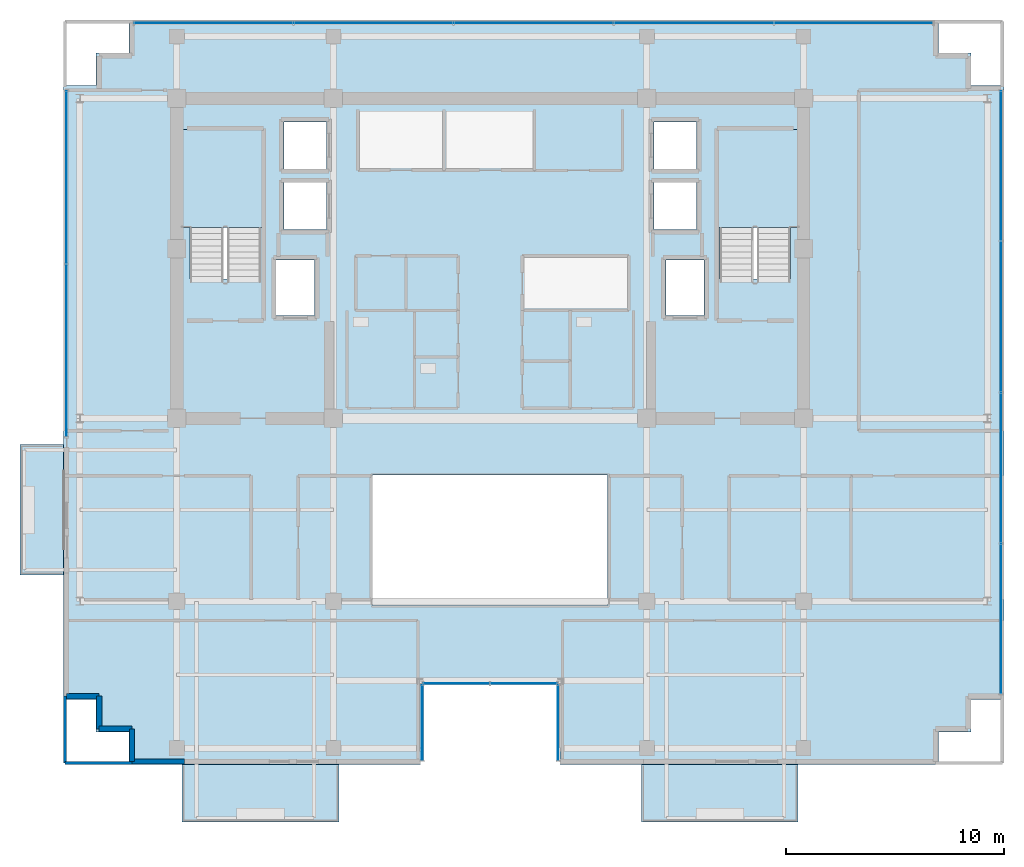
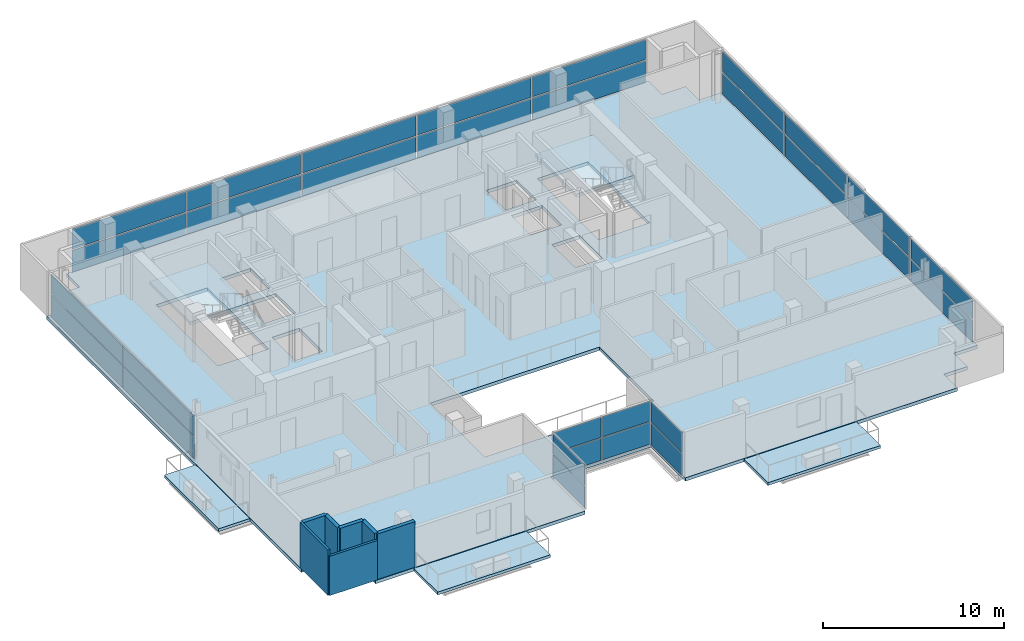
# One storey, part 14 of 21: 30 plates, 7 walls, 6 slabs, 8 elements without a shape of their own.
"""IFC4 building model written with IfcOpenShell, lengths in metres."""

from ifc_helpers import new_model, si_unit, direction, frame, frame_2d, origin, origin_2d, place, context, subcontext, project, spatial, polyline, rectangle, outline, extrude, source, transform, mapped, material, layer, layer_set, type_object, element, aggregate, save


model = new_model("IFC4")

# Units and contexts
model_context = context("Model", 3, precision=1e-05, world=origin(), true_north=direction((0.0, 1.0)))
body_context = subcontext(model_context, "Body", "Model", "MODEL_VIEW")
ifc_project = project(units=[si_unit("LENGTHUNIT", "METRE"), si_unit("AREAUNIT", "SQUARE_METRE"), si_unit("VOLUMEUNIT", "CUBIC_METRE"), si_unit("PLANEANGLEUNIT", "RADIAN"), si_unit("MASSUNIT", "GRAM", prefix="KILO")], contexts=[model_context])

# Site, building, storey
site_placement = place(None, origin())
site = spatial("IfcSite", under=ifc_project, at=site_placement, CompositionType="ELEMENT")
building_placement = place(site_placement, origin())
building = spatial("IfcBuilding", under=site, at=building_placement, Name="Zarnakvel Exchange Tower", CompositionType="ELEMENT")
storey_placement = place(building_placement, frame((0.0, 0.0, 248.5)))
storey = spatial("IfcBuildingStorey", under=building, at=storey_placement, Name="L70", CompositionType="ELEMENT", Elevation=248.5)

# Stair, slab
ifc_material_1 = material(Name="Concrete C40/50", Category="concrete")
stair_type = type_object("IfcStairType", Name="STR-01", PredefinedType="HALF_TURN_STAIR", material=ifc_material_1)
stair_1_placement = place(storey_placement, origin())
stair_1 = element("IfcStair", 1, at=stair_1_placement, inside=storey, type_object=stair_type, Name="L70 Protected Core Exit Stair ST-01", PredefinedType="HALF_TURN_STAIR")
ifc_layer_1 = layer(ifc_material_1, 0.199951171875)
ifc_layer_set_1 = layer_set([ifc_layer_1], Name="Concrete C40/50")
slab_type_1 = type_object("IfcSlabType", Name="LDG-01", PredefinedType="LANDING", material=ifc_layer_set_1)
slab_1_placement = place(storey_placement, frame((0.0, 0.0, 1.449951171875)))
slab_1 = element("IfcSlab", 2, at=slab_1_placement, type_object=slab_type_1, Name="ST-01 landing 1", PredefinedType="LANDING", context=body_context, shape_type="SweptSolid", body=[
    extrude(outline(polyline([(-14.18994140625, 7.570068359375), (-10.4599609375, 7.570068359375), (-10.4599609375, 12.080078125), (-14.18994140625, 12.080078125), (-14.18994140625, 7.570068359375)])), origin(), (0.0, 0.0, 1.0), 0.199951171875),
])
aggregate(stair_1, [slab_1])

stair_2_placement = place(storey_placement, origin())
stair_2 = element("IfcStair", 3, at=stair_2_placement, inside=storey, type_object=stair_type, Name="L70 Protected Core Exit Stair ST-02", PredefinedType="HALF_TURN_STAIR")
slab_2_placement = place(storey_placement, frame((0.0, 0.0, 1.449951171875)))
slab_2 = element("IfcSlab", 4, at=slab_2_placement, type_object=slab_type_1, Name="ST-02 landing 1", PredefinedType="LANDING", context=body_context, shape_type="SweptSolid", body=[
    extrude(outline(polyline([(10.4599609375, 7.570068359375), (14.18994140625, 7.570068359375), (14.18994140625, 12.080078125), (10.4599609375, 12.080078125), (10.4599609375, 7.570068359375)])), origin(), (0.0, 0.0, 1.0), 0.199951171875),
])
aggregate(stair_2, [slab_2])

# Slabs
ifc_layer_2 = layer(ifc_material_1, 0.22509765625)
ifc_layer_set_2 = layer_set([ifc_layer_2], Name="Concrete C40/50")
slab_type_2 = type_object("IfcSlabType", Name="SL-04", PredefinedType="FLOOR", material=ifc_layer_set_2)
slab_3_placement = place(storey_placement, frame((0.0, 0.0, -0.22509765625)))
element("IfcSlab", 5, at=slab_3_placement, inside=storey, type_object=slab_type_2, Name="L70 Primary Structural Floor Slab", PredefinedType="FLOOR", context=body_context, shape_type="SweptSolid", body=[
    extrude(outline(polyline([(-19.60009765625, -14.10009765625), (-18.10009765625, -14.10009765625), (-18.10009765625, -15.60009765625), (-16.60009765625, -15.60009765625), (-16.60009765625, -17.10009765625), (-3.199951171875, -17.10009765625), (-3.199951171875, -13.300048828125), (3.199951171875, -13.300048828125), (3.199951171875, -17.10009765625), (20.60009765625, -17.10009765625), (20.60009765625, -15.60009765625), (22.10009765625, -15.60009765625), (22.10009765625, -14.10009765625), (23.60009765625, -14.10009765625), (23.60009765625, 14.10009765625), (22.10009765625, 14.10009765625), (22.10009765625, 15.60009765625), (20.60009765625, 15.60009765625), (20.60009765625, 17.10009765625), (-16.60009765625, 17.10009765625), (-16.60009765625, 15.60009765625), (-18.10009765625, 15.60009765625), (-18.10009765625, 14.10009765625), (-19.60009765625, 14.10009765625), (-19.60009765625, -14.10009765625)]), holes=[polyline([(-5.39990234375, -9.800048828125), (5.39990234375, -9.800048828125), (5.39990234375, -3.800048828125), (-5.39990234375, -3.800048828125), (-5.39990234375, -9.800048828125)]), polyline([(-13.800048828125, 5.2099609375), (-10.5400390625, 5.2099609375), (-10.5400390625, 12.0), (-13.800048828125, 12.0), (-13.800048828125, 5.2099609375)]), polyline([(10.5400390625, 5.2099609375), (13.800048828125, 5.2099609375), (13.800048828125, 12.0), (10.5400390625, 12.0), (10.5400390625, 5.2099609375)]), polyline([(-9.830078125, 3.52001953125), (-8.070068359375, 3.52001953125), (-8.070068359375, 6.080078125), (-9.830078125, 6.080078125), (-9.830078125, 3.52001953125)]), polyline([(8.070068359375, 3.52001953125), (9.830078125, 3.52001953125), (9.830078125, 6.080078125), (8.070068359375, 6.080078125), (8.070068359375, 3.52001953125)]), polyline([(-9.47998046875, 7.469970703125), (-7.52001953125, 7.469970703125), (-7.52001953125, 9.6298828125), (-9.47998046875, 9.6298828125), (-9.47998046875, 7.469970703125)]), polyline([(-9.47998046875, 10.27001953125), (-7.52001953125, 10.27001953125), (-7.52001953125, 12.429931640625), (-9.47998046875, 12.429931640625), (-9.47998046875, 10.27001953125)]), polyline([(7.52001953125, 7.469970703125), (9.47998046875, 7.469970703125), (9.47998046875, 9.6298828125), (7.52001953125, 9.6298828125), (7.52001953125, 7.469970703125)]), polyline([(7.52001953125, 10.27001953125), (9.47998046875, 10.27001953125), (9.47998046875, 12.429931640625), (7.52001953125, 12.429931640625), (7.52001953125, 10.27001953125)])]), origin(), (0.0, 0.0, 1.0), 0.22509765625),
])
ifc_layer_3 = layer(ifc_material_1, 0.18994140625)
ifc_layer_set_3 = layer_set([ifc_layer_3], Name="Concrete C40/50")
slab_type_3 = type_object("IfcSlabType", Name="SL-08", PredefinedType="USERDEFINED", material=ifc_layer_set_3)
slab_4_placement = place(storey_placement, frame((0.0, 0.0, -0.22509765625)))
element("IfcSlab", 6, at=slab_4_placement, inside=storey, type_object=slab_type_3, Name="L70 Planted Loggia Balcony Slab BAL-L70-SW", ObjectType="BALCONY", PredefinedType="USERDEFINED", context=body_context, shape_type="SweptSolid", body=[
    extrude(outline(polyline([(-14.14990234375, -19.75), (-6.949951171875, -19.75), (-6.949951171875, -17.10009765625), (-14.14990234375, -17.10009765625), (-14.14990234375, -19.75)])), origin(), (0.0, 0.0, 1.0), 0.190185546875),
])
slab_5_placement = place(storey_placement, frame((0.0, 0.0, -0.22509765625)))
element("IfcSlab", 7, at=slab_5_placement, inside=storey, type_object=slab_type_3, Name="L70 Planted Loggia Balcony Slab BAL-L70-SE", ObjectType="BALCONY", PredefinedType="USERDEFINED", context=body_context, shape_type="SweptSolid", body=[
    extrude(outline(polyline([(6.949951171875, -19.75), (14.14990234375, -19.75), (14.14990234375, -17.10009765625), (6.949951171875, -17.10009765625), (6.949951171875, -19.75)])), origin(), (0.0, 0.0, 1.0), 0.190185546875),
])
slab_6_placement = place(storey_placement, frame((0.0, 0.0, -0.22509765625)))
element("IfcSlab", 8, at=slab_6_placement, inside=storey, type_object=slab_type_3, Name="L70 Planted Loggia Balcony Slab BAL-L70-W", ObjectType="BALCONY", PredefinedType="USERDEFINED", context=body_context, shape_type="SweptSolid", body=[
    extrude(outline(polyline([(-21.60009765625, -8.39990234375), (-19.60009765625, -8.39990234375), (-19.60009765625, -2.39990234375), (-21.60009765625, -2.39990234375), (-21.60009765625, -8.39990234375)])), origin(), (0.0, 0.0, 1.0), 0.190185546875),
])

# Curtain wall, plate
ifc_material_2 = material(Name="Architectural Bronze Anodised Aluminium", Category="aluminium")
ifc_layer_4 = layer(ifc_material_2, 0.179931640625)
ifc_layer_set_4 = layer_set([ifc_layer_4], Name="Architectural Bronze Anodised Aluminium")
curtain_wall_type_1 = type_object("IfcCurtainWallType", Name="CW-05", PredefinedType="NOTDEFINED", material=ifc_layer_set_4)
curtain_wall_1_placement = place(storey_placement, origin())
curtain_wall_1 = element("IfcCurtainWall", 9, at=curtain_wall_1_placement, inside=storey, type_object=curtain_wall_type_1, Name="L70 Curtain Wall CW-L70-SLW (CW-05)", PredefinedType="NOTDEFINED")
ifc_material_3 = material(Name="Double Low-E Laminated Vision Glass", Category="glass")
ifc_layer_5 = layer(ifc_material_3, 0.02587890625)
ifc_layer_set_5 = layer_set([ifc_layer_5], Name="Double Low-E Laminated Vision Glass")
plate_type_1 = type_object("IfcPlateType", Name="CWP-05", PredefinedType="CURTAIN_PANEL", material=ifc_layer_set_5)
shared_shape_1 = source(origin(), body_context, "Body", "SweptSolid", [
    extrude(rectangle(XDim=3.4599609375, YDim=0.02587890625, at=origin_2d()), origin(), (0.0, 0.0, 1.0), 1.483642578125),
])
plate_1_placement = place(storey_placement, frame((-3.1201171875, -15.179931640625, 0.06982421875), z_axis=(0.0, 0.0, 1.0), x_axis=(0.0, 1.0, 0.0)))
plate_1 = element("IfcPlate", 10, at=plate_1_placement, type_object=plate_type_1, Name="CW-05 panel 1.1", PredefinedType="CURTAIN_PANEL", context=body_context, shape_type="MappedRepresentation", body=[
    mapped(shared_shape_1, transform((0.0, 0.0, 0.0), x_axis=(1.0, 0.0, 0.0), y_axis=(0.0, 1.0, 0.0), z_axis=(0.0, 0.0, 1.0), scale=1.0)),
])

curtain_wall_2_placement = place(storey_placement, origin())
curtain_wall_2 = element("IfcCurtainWall", 11, at=curtain_wall_2_placement, inside=storey, type_object=curtain_wall_type_1, Name="L70 Curtain Wall CW-L70-SLE (CW-05)", PredefinedType="NOTDEFINED")
plate_2_placement = place(storey_placement, frame((3.1201171875, -15.179931640625, 0.06982421875), z_axis=(0.0, 0.0, 1.0), x_axis=(0.0, -1.0, 0.0)))
plate_2 = element("IfcPlate", 12, at=plate_2_placement, type_object=plate_type_1, Name="CW-05 panel 1.1", PredefinedType="CURTAIN_PANEL", context=body_context, shape_type="MappedRepresentation", body=[
    mapped(shared_shape_1, transform((0.0, 0.0, 0.0), x_axis=(1.0, 0.0, 0.0), y_axis=(0.0, 1.0, 0.0), z_axis=(0.0, 0.0, 1.0), scale=1.0)),
])

# Plate
shared_shape_2 = source(origin(), body_context, "Body", "SweptSolid", [
    extrude(rectangle(XDim=3.4599609375, YDim=0.02587890625, at=origin_2d()), origin(), (0.0, 0.0, 1.0), 1.361328125),
])
plate_3_placement = place(storey_placement, frame((-3.1201171875, -15.179931640625, 1.62353515625), z_axis=(0.0, 0.0, 1.0), x_axis=(0.0, 1.0, 0.0)))
plate_3 = element("IfcPlate", 13, at=plate_3_placement, type_object=plate_type_1, Name="CW-05 panel 1.2", PredefinedType="CURTAIN_PANEL", context=body_context, shape_type="MappedRepresentation", body=[
    mapped(shared_shape_2, transform((0.0, 0.0, 0.0), x_axis=(1.0, 0.0, 0.0), y_axis=(0.0, 1.0, 0.0), z_axis=(0.0, 0.0, 1.0), scale=1.0)),
])

aggregate(curtain_wall_1, [plate_1, plate_3])

plate_4_placement = place(storey_placement, frame((3.1201171875, -15.179931640625, 1.62353515625), z_axis=(0.0, 0.0, 1.0), x_axis=(0.0, -1.0, 0.0)))
plate_4 = element("IfcPlate", 14, at=plate_4_placement, type_object=plate_type_1, Name="CW-05 panel 1.2", PredefinedType="CURTAIN_PANEL", context=body_context, shape_type="MappedRepresentation", body=[
    mapped(shared_shape_2, transform((0.0, 0.0, 0.0), x_axis=(1.0, 0.0, 0.0), y_axis=(0.0, 1.0, 0.0), z_axis=(0.0, 0.0, 1.0), scale=1.0)),
])

aggregate(curtain_wall_2, [plate_2, plate_4])

# Curtain wall, plates
curtain_wall_3_placement = place(storey_placement, origin())
curtain_wall_3 = element("IfcCurtainWall", 15, at=curtain_wall_3_placement, inside=storey, type_object=curtain_wall_type_1, Name="L70 Curtain Wall CW-L70-SLB (CW-05)", PredefinedType="NOTDEFINED")
shared_shape_3 = source(origin(), body_context, "Body", "SweptSolid", [
    extrude(rectangle(XDim=3.014892578125, YDim=0.02587890625, at=origin_2d()), origin(), (0.0, 0.0, 1.0), 1.483642578125),
])
plate_5_placement = place(storey_placement, frame((-1.54248046875, -13.3798828125, 0.06982421875), z_axis=(0.0, 0.0, 1.0), x_axis=(1.0, 0.0, 0.0)))
plate_5 = element("IfcPlate", 16, at=plate_5_placement, type_object=plate_type_1, Name="CW-05 panel 1.1", PredefinedType="CURTAIN_PANEL", context=body_context, shape_type="MappedRepresentation", body=[
    mapped(shared_shape_3, transform((0.0, 0.0, 0.0), x_axis=(1.0, 0.0, 0.0), y_axis=(0.0, 1.0, 0.0), z_axis=(0.0, 0.0, 1.0), scale=1.0)),
])
plate_6_placement = place(storey_placement, frame((1.54248046875, -13.3798828125, 0.06982421875), z_axis=(0.0, 0.0, 1.0), x_axis=(1.0, 0.0, 0.0)))
plate_6 = element("IfcPlate", 17, at=plate_6_placement, type_object=plate_type_1, Name="CW-05 panel 2.1", PredefinedType="CURTAIN_PANEL", context=body_context, shape_type="MappedRepresentation", body=[
    mapped(shared_shape_3, transform((0.0, 0.0, 0.0), x_axis=(1.0, 0.0, 0.0), y_axis=(0.0, 1.0, 0.0), z_axis=(0.0, 0.0, 1.0), scale=1.0)),
])
shared_shape_4 = source(origin(), body_context, "Body", "SweptSolid", [
    extrude(rectangle(XDim=3.014892578125, YDim=0.02587890625, at=origin_2d()), origin(), (0.0, 0.0, 1.0), 1.361328125),
])
plate_7_placement = place(storey_placement, frame((-1.54248046875, -13.3798828125, 1.62353515625), z_axis=(0.0, 0.0, 1.0), x_axis=(1.0, 0.0, 0.0)))
plate_7 = element("IfcPlate", 18, at=plate_7_placement, type_object=plate_type_1, Name="CW-05 panel 1.2", PredefinedType="CURTAIN_PANEL", context=body_context, shape_type="MappedRepresentation", body=[
    mapped(shared_shape_4, transform((0.0, 0.0, 0.0), x_axis=(1.0, 0.0, 0.0), y_axis=(0.0, 1.0, 0.0), z_axis=(0.0, 0.0, 1.0), scale=1.0)),
])
plate_8_placement = place(storey_placement, frame((1.54248046875, -13.3798828125, 1.62353515625), z_axis=(0.0, 0.0, 1.0), x_axis=(1.0, 0.0, 0.0)))
plate_8 = element("IfcPlate", 19, at=plate_8_placement, type_object=plate_type_1, Name="CW-05 panel 2.2", PredefinedType="CURTAIN_PANEL", context=body_context, shape_type="MappedRepresentation", body=[
    mapped(shared_shape_4, transform((0.0, 0.0, 0.0), x_axis=(1.0, 0.0, 0.0), y_axis=(0.0, 1.0, 0.0), z_axis=(0.0, 0.0, 1.0), scale=1.0)),
])
aggregate(curtain_wall_3, [plate_5, plate_7, plate_6, plate_8])

ifc_layer_6 = layer(ifc_material_2, 0.199951171875)
ifc_layer_set_6 = layer_set([ifc_layer_6], Name="Architectural Bronze Anodised Aluminium")
curtain_wall_type_2 = type_object("IfcCurtainWallType", Name="CW-04", PredefinedType="NOTDEFINED", material=ifc_layer_set_6)
curtain_wall_4_placement = place(storey_placement, origin())
curtain_wall_4 = element("IfcCurtainWall", 20, at=curtain_wall_4_placement, inside=storey, type_object=curtain_wall_type_2, Name="L70 Curtain Wall CW-L70-E1 (CW-04)", PredefinedType="NOTDEFINED")
ifc_layer_7 = layer(ifc_material_3, 0.028076171875)
ifc_layer_set_7 = layer_set([ifc_layer_7], Name="Double Low-E Laminated Vision Glass")
plate_type_2 = type_object("IfcPlateType", Name="CWP-04", PredefinedType="CURTAIN_PANEL", material=ifc_layer_set_7)
shared_shape_5 = source(origin(), body_context, "Body", "SweptSolid", [
    extrude(rectangle(XDim=6.83740234375, YDim=0.028076171875, at=origin_2d()), origin(), (0.0, 0.0, 1.0), 1.47607421875),
])
plate_9_placement = place(storey_placement, frame((23.4599609375, -10.40625, 0.074951171875), z_axis=(0.0, 0.0, 1.0), x_axis=(0.0, 1.0, 0.0)))
plate_9 = element("IfcPlate", 21, at=plate_9_placement, type_object=plate_type_2, Name="CW-04 panel 1.1", PredefinedType="CURTAIN_PANEL", context=body_context, shape_type="MappedRepresentation", body=[
    mapped(shared_shape_5, transform((0.0, 0.0, 0.0), x_axis=(1.0, 0.0, 0.0), y_axis=(0.0, 1.0, 0.0), z_axis=(0.0, 0.0, 1.0), scale=1.0)),
])
plate_10_placement = place(storey_placement, frame((23.4599609375, 10.40625, 0.074951171875), z_axis=(0.0, 0.0, 1.0), x_axis=(0.0, 1.0, 0.0)))
plate_10 = element("IfcPlate", 22, at=plate_10_placement, type_object=plate_type_2, Name="CW-04 panel 4.1", PredefinedType="CURTAIN_PANEL", context=body_context, shape_type="MappedRepresentation", body=[
    mapped(shared_shape_5, transform((0.0, 0.0, 0.0), x_axis=(1.0, 0.0, 0.0), y_axis=(0.0, 1.0, 0.0), z_axis=(0.0, 0.0, 1.0), scale=1.0)),
])
shared_shape_6 = source(origin(), body_context, "Body", "SweptSolid", [
    extrude(rectangle(XDim=6.83740234375, YDim=0.028076171875, at=origin_2d()), origin(), (0.0, 0.0, 1.0), 1.35400390625),
])
plate_11_placement = place(storey_placement, frame((23.4599609375, -10.40625, 1.6259765625), z_axis=(0.0, 0.0, 1.0), x_axis=(0.0, 1.0, 0.0)))
plate_11 = element("IfcPlate", 23, at=plate_11_placement, type_object=plate_type_2, Name="CW-04 panel 1.2", PredefinedType="CURTAIN_PANEL", context=body_context, shape_type="MappedRepresentation", body=[
    mapped(shared_shape_6, transform((0.0, 0.0, 0.0), x_axis=(1.0, 0.0, 0.0), y_axis=(0.0, 1.0, 0.0), z_axis=(0.0, 0.0, 1.0), scale=1.0)),
])
plate_12_placement = place(storey_placement, frame((23.4599609375, 10.40625, 1.6259765625), z_axis=(0.0, 0.0, 1.0), x_axis=(0.0, 1.0, 0.0)))
plate_12 = element("IfcPlate", 24, at=plate_12_placement, type_object=plate_type_2, Name="CW-04 panel 4.2", PredefinedType="CURTAIN_PANEL", context=body_context, shape_type="MappedRepresentation", body=[
    mapped(shared_shape_6, transform((0.0, 0.0, 0.0), x_axis=(1.0, 0.0, 0.0), y_axis=(0.0, 1.0, 0.0), z_axis=(0.0, 0.0, 1.0), scale=1.0)),
])
shared_shape_7 = source(origin(), body_context, "Body", "SweptSolid", [
    extrude(rectangle(XDim=6.875, YDim=0.028076171875, at=origin_2d()), origin(), (0.0, 0.0, 1.0), 1.47607421875),
])
plate_13_placement = place(storey_placement, frame((23.4599609375, -3.47509765625, 0.074951171875), z_axis=(0.0, 0.0, 1.0), x_axis=(0.0, 1.0, 0.0)))
plate_13 = element("IfcPlate", 25, at=plate_13_placement, type_object=plate_type_2, Name="CW-04 panel 2.1", PredefinedType="CURTAIN_PANEL", context=body_context, shape_type="MappedRepresentation", body=[
    mapped(shared_shape_7, transform((0.0, 0.0, 0.0), x_axis=(1.0, 0.0, 0.0), y_axis=(0.0, 1.0, 0.0), z_axis=(0.0, 0.0, 1.0), scale=1.0)),
])
plate_14_placement = place(storey_placement, frame((23.4599609375, 3.47509765625, 0.074951171875), z_axis=(0.0, 0.0, 1.0), x_axis=(0.0, 1.0, 0.0)))
plate_14 = element("IfcPlate", 26, at=plate_14_placement, type_object=plate_type_2, Name="CW-04 panel 3.1", PredefinedType="CURTAIN_PANEL", context=body_context, shape_type="MappedRepresentation", body=[
    mapped(shared_shape_7, transform((0.0, 0.0, 0.0), x_axis=(1.0, 0.0, 0.0), y_axis=(0.0, 1.0, 0.0), z_axis=(0.0, 0.0, 1.0), scale=1.0)),
])
shared_shape_8 = source(origin(), body_context, "Body", "SweptSolid", [
    extrude(rectangle(XDim=6.875, YDim=0.028076171875, at=origin_2d()), origin(), (0.0, 0.0, 1.0), 1.35400390625),
])
plate_15_placement = place(storey_placement, frame((23.4599609375, -3.47509765625, 1.6259765625), z_axis=(0.0, 0.0, 1.0), x_axis=(0.0, 1.0, 0.0)))
plate_15 = element("IfcPlate", 27, at=plate_15_placement, type_object=plate_type_2, Name="CW-04 panel 2.2", PredefinedType="CURTAIN_PANEL", context=body_context, shape_type="MappedRepresentation", body=[
    mapped(shared_shape_8, transform((0.0, 0.0, 0.0), x_axis=(1.0, 0.0, 0.0), y_axis=(0.0, 1.0, 0.0), z_axis=(0.0, 0.0, 1.0), scale=1.0)),
])
plate_16_placement = place(storey_placement, frame((23.4599609375, 3.47509765625, 1.6259765625), z_axis=(0.0, 0.0, 1.0), x_axis=(0.0, 1.0, 0.0)))
plate_16 = element("IfcPlate", 28, at=plate_16_placement, type_object=plate_type_2, Name="CW-04 panel 3.2", PredefinedType="CURTAIN_PANEL", context=body_context, shape_type="MappedRepresentation", body=[
    mapped(shared_shape_8, transform((0.0, 0.0, 0.0), x_axis=(1.0, 0.0, 0.0), y_axis=(0.0, 1.0, 0.0), z_axis=(0.0, 0.0, 1.0), scale=1.0)),
])
aggregate(curtain_wall_4, [plate_9, plate_11, plate_13, plate_15, plate_14, plate_16, plate_10, plate_12])

curtain_wall_5_placement = place(storey_placement, origin())
curtain_wall_5 = element("IfcCurtainWall", 29, at=curtain_wall_5_placement, inside=storey, type_object=curtain_wall_type_2, Name="L70 Curtain Wall CW-L70-WN (CW-04)", PredefinedType="NOTDEFINED")
shared_shape_9 = source(origin(), body_context, "Body", "SweptSolid", [
    extrude(rectangle(XDim=7.887451171875, YDim=0.028076171875, at=origin_2d()), origin(), (0.0, 0.0, 1.0), 1.47607421875),
])
plate_17_placement = place(storey_placement, frame((-19.4599609375, 1.918701171875, 0.074951171875), z_axis=(0.0, 0.0, 1.0), x_axis=(0.0, 1.0, 0.0)))
plate_17 = element("IfcPlate", 30, at=plate_17_placement, type_object=plate_type_2, Name="CW-04 panel 1.1", PredefinedType="CURTAIN_PANEL", context=body_context, shape_type="MappedRepresentation", body=[
    mapped(shared_shape_9, transform((0.0, 0.0, 0.0), x_axis=(1.0, 0.0, 0.0), y_axis=(0.0, 1.0, 0.0), z_axis=(0.0, 0.0, 1.0), scale=1.0)),
])
plate_18_placement = place(storey_placement, frame((-19.4599609375, 9.88134765625, 0.074951171875), z_axis=(0.0, 0.0, 1.0), x_axis=(0.0, 1.0, 0.0)))
plate_18 = element("IfcPlate", 31, at=plate_18_placement, type_object=plate_type_2, Name="CW-04 panel 2.1", PredefinedType="CURTAIN_PANEL", context=body_context, shape_type="MappedRepresentation", body=[
    mapped(shared_shape_9, transform((0.0, 0.0, 0.0), x_axis=(1.0, 0.0, 0.0), y_axis=(0.0, 1.0, 0.0), z_axis=(0.0, 0.0, 1.0), scale=1.0)),
])
shared_shape_10 = source(origin(), body_context, "Body", "SweptSolid", [
    extrude(rectangle(XDim=7.887451171875, YDim=0.028076171875, at=origin_2d()), origin(), (0.0, 0.0, 1.0), 1.35400390625),
])
plate_19_placement = place(storey_placement, frame((-19.4599609375, 1.918701171875, 1.6259765625), z_axis=(0.0, 0.0, 1.0), x_axis=(0.0, 1.0, 0.0)))
plate_19 = element("IfcPlate", 32, at=plate_19_placement, type_object=plate_type_2, Name="CW-04 panel 1.2", PredefinedType="CURTAIN_PANEL", context=body_context, shape_type="MappedRepresentation", body=[
    mapped(shared_shape_10, transform((0.0, 0.0, 0.0), x_axis=(1.0, 0.0, 0.0), y_axis=(0.0, 1.0, 0.0), z_axis=(0.0, 0.0, 1.0), scale=1.0)),
])
plate_20_placement = place(storey_placement, frame((-19.4599609375, 9.88134765625, 1.6259765625), z_axis=(0.0, 0.0, 1.0), x_axis=(0.0, 1.0, 0.0)))
plate_20 = element("IfcPlate", 33, at=plate_20_placement, type_object=plate_type_2, Name="CW-04 panel 2.2", PredefinedType="CURTAIN_PANEL", context=body_context, shape_type="MappedRepresentation", body=[
    mapped(shared_shape_10, transform((0.0, 0.0, 0.0), x_axis=(1.0, 0.0, 0.0), y_axis=(0.0, 1.0, 0.0), z_axis=(0.0, 0.0, 1.0), scale=1.0)),
])
aggregate(curtain_wall_5, [plate_17, plate_19, plate_18, plate_20])

ifc_layer_8 = layer(ifc_material_2, 0.219970703125)
ifc_layer_set_8 = layer_set([ifc_layer_8], Name="Architectural Bronze Anodised Aluminium")
curtain_wall_type_3 = type_object("IfcCurtainWallType", Name="CW-03", PredefinedType="NOTDEFINED", material=ifc_layer_set_8)
curtain_wall_6_placement = place(storey_placement, origin())
curtain_wall_6 = element("IfcCurtainWall", 34, at=curtain_wall_6_placement, inside=storey, type_object=curtain_wall_type_3, Name="L70 Curtain Wall CW-L70-N1 (CW-03)", PredefinedType="NOTDEFINED")
ifc_layer_9 = layer(ifc_material_3, 0.030029296875)
ifc_layer_set_9 = layer_set([ifc_layer_9], Name="Double Low-E Laminated Vision Glass")
plate_type_3 = type_object("IfcPlateType", Name="CWP-03", PredefinedType="CURTAIN_PANEL", material=ifc_layer_set_9)
shared_shape_11 = source(origin(), body_context, "Body", "SweptSolid", [
    extrude(rectangle(XDim=7.239990234375, YDim=0.030029296875, at=origin_2d()), origin(), (0.0, 0.0, 1.0), 1.468505859375),
])
plate_21_placement = place(storey_placement, frame((-12.699951171875, 16.9599609375, 0.080078125), z_axis=(0.0, 0.0, 1.0), x_axis=(1.0, 0.0, 0.0)))
plate_21 = element("IfcPlate", 35, at=plate_21_placement, type_object=plate_type_3, Name="CW-03 panel 1.1", PredefinedType="CURTAIN_PANEL", context=body_context, shape_type="MappedRepresentation", body=[
    mapped(shared_shape_11, transform((0.0, 0.0, 0.0), x_axis=(1.0, 0.0, 0.0), y_axis=(0.0, 1.0, 0.0), z_axis=(0.0, 0.0, 1.0), scale=1.0)),
])
plate_22_placement = place(storey_placement, frame((16.699951171875, 16.9599609375, 0.080078125), z_axis=(0.0, 0.0, 1.0), x_axis=(1.0, 0.0, 0.0)))
plate_22 = element("IfcPlate", 36, at=plate_22_placement, type_object=plate_type_3, Name="CW-03 panel 5.1", PredefinedType="CURTAIN_PANEL", context=body_context, shape_type="MappedRepresentation", body=[
    mapped(shared_shape_11, transform((0.0, 0.0, 0.0), x_axis=(1.0, 0.0, 0.0), y_axis=(0.0, 1.0, 0.0), z_axis=(0.0, 0.0, 1.0), scale=1.0)),
])
shared_shape_12 = source(origin(), body_context, "Body", "SweptSolid", [
    extrude(rectangle(XDim=7.239990234375, YDim=0.030029296875, at=origin_2d()), origin(), (0.0, 0.0, 1.0), 1.346435546875),
])
plate_23_placement = place(storey_placement, frame((-12.699951171875, 16.9599609375, 1.62841796875), z_axis=(0.0, 0.0, 1.0), x_axis=(1.0, 0.0, 0.0)))
plate_23 = element("IfcPlate", 37, at=plate_23_placement, type_object=plate_type_3, Name="CW-03 panel 1.2", PredefinedType="CURTAIN_PANEL", context=body_context, shape_type="MappedRepresentation", body=[
    mapped(shared_shape_12, transform((0.0, 0.0, 0.0), x_axis=(1.0, 0.0, 0.0), y_axis=(0.0, 1.0, 0.0), z_axis=(0.0, 0.0, 1.0), scale=1.0)),
])
plate_24_placement = place(storey_placement, frame((16.699951171875, 16.9599609375, 1.62841796875), z_axis=(0.0, 0.0, 1.0), x_axis=(1.0, 0.0, 0.0)))
plate_24 = element("IfcPlate", 38, at=plate_24_placement, type_object=plate_type_3, Name="CW-03 panel 5.2", PredefinedType="CURTAIN_PANEL", context=body_context, shape_type="MappedRepresentation", body=[
    mapped(shared_shape_12, transform((0.0, 0.0, 0.0), x_axis=(1.0, 0.0, 0.0), y_axis=(0.0, 1.0, 0.0), z_axis=(0.0, 0.0, 1.0), scale=1.0)),
])
shared_shape_13 = source(origin(), body_context, "Body", "SweptSolid", [
    extrude(rectangle(XDim=7.280029296875, YDim=0.030029296875, at=origin_2d()), origin(), (0.0, 0.0, 1.0), 1.468505859375),
])
plate_25_placement = place(storey_placement, frame((-5.360107421875, 16.9599609375, 0.080078125), z_axis=(0.0, 0.0, 1.0), x_axis=(1.0, 0.0, 0.0)))
plate_25 = element("IfcPlate", 39, at=plate_25_placement, type_object=plate_type_3, Name="CW-03 panel 2.1", PredefinedType="CURTAIN_PANEL", context=body_context, shape_type="MappedRepresentation", body=[
    mapped(shared_shape_13, transform((0.0, 0.0, 0.0), x_axis=(1.0, 0.0, 0.0), y_axis=(0.0, 1.0, 0.0), z_axis=(0.0, 0.0, 1.0), scale=1.0)),
])
plate_26_placement = place(storey_placement, frame((2.0, 16.9599609375, 0.080078125), z_axis=(0.0, 0.0, 1.0), x_axis=(1.0, 0.0, 0.0)))
plate_26 = element("IfcPlate", 40, at=plate_26_placement, type_object=plate_type_3, Name="CW-03 panel 3.1", PredefinedType="CURTAIN_PANEL", context=body_context, shape_type="MappedRepresentation", body=[
    mapped(shared_shape_13, transform((0.0, 0.0, 0.0), x_axis=(1.0, 0.0, 0.0), y_axis=(0.0, 1.0, 0.0), z_axis=(0.0, 0.0, 1.0), scale=1.0)),
])
plate_27_placement = place(storey_placement, frame((9.360107421875, 16.9599609375, 0.080078125), z_axis=(0.0, 0.0, 1.0), x_axis=(1.0, 0.0, 0.0)))
plate_27 = element("IfcPlate", 41, at=plate_27_placement, type_object=plate_type_3, Name="CW-03 panel 4.1", PredefinedType="CURTAIN_PANEL", context=body_context, shape_type="MappedRepresentation", body=[
    mapped(shared_shape_13, transform((0.0, 0.0, 0.0), x_axis=(1.0, 0.0, 0.0), y_axis=(0.0, 1.0, 0.0), z_axis=(0.0, 0.0, 1.0), scale=1.0)),
])
shared_shape_14 = source(origin(), body_context, "Body", "SweptSolid", [
    extrude(rectangle(XDim=7.280029296875, YDim=0.030029296875, at=origin_2d()), origin(), (0.0, 0.0, 1.0), 1.346435546875),
])
plate_28_placement = place(storey_placement, frame((-5.360107421875, 16.9599609375, 1.62841796875), z_axis=(0.0, 0.0, 1.0), x_axis=(1.0, 0.0, 0.0)))
plate_28 = element("IfcPlate", 42, at=plate_28_placement, type_object=plate_type_3, Name="CW-03 panel 2.2", PredefinedType="CURTAIN_PANEL", context=body_context, shape_type="MappedRepresentation", body=[
    mapped(shared_shape_14, transform((0.0, 0.0, 0.0), x_axis=(1.0, 0.0, 0.0), y_axis=(0.0, 1.0, 0.0), z_axis=(0.0, 0.0, 1.0), scale=1.0)),
])
plate_29_placement = place(storey_placement, frame((2.0, 16.9599609375, 1.62841796875), z_axis=(0.0, 0.0, 1.0), x_axis=(1.0, 0.0, 0.0)))
plate_29 = element("IfcPlate", 43, at=plate_29_placement, type_object=plate_type_3, Name="CW-03 panel 3.2", PredefinedType="CURTAIN_PANEL", context=body_context, shape_type="MappedRepresentation", body=[
    mapped(shared_shape_14, transform((0.0, 0.0, 0.0), x_axis=(1.0, 0.0, 0.0), y_axis=(0.0, 1.0, 0.0), z_axis=(0.0, 0.0, 1.0), scale=1.0)),
])
plate_30_placement = place(storey_placement, frame((9.360107421875, 16.9599609375, 1.62841796875), z_axis=(0.0, 0.0, 1.0), x_axis=(1.0, 0.0, 0.0)))
plate_30 = element("IfcPlate", 44, at=plate_30_placement, type_object=plate_type_3, Name="CW-03 panel 4.2", PredefinedType="CURTAIN_PANEL", context=body_context, shape_type="MappedRepresentation", body=[
    mapped(shared_shape_14, transform((0.0, 0.0, 0.0), x_axis=(1.0, 0.0, 0.0), y_axis=(0.0, 1.0, 0.0), z_axis=(0.0, 0.0, 1.0), scale=1.0)),
])
aggregate(curtain_wall_6, [plate_21, plate_23, plate_25, plate_28, plate_26, plate_29, plate_27, plate_30, plate_22, plate_24])

# Walls
ifc_material_4 = material(Name="Precast concrete C40/50", Category="concrete")
ifc_layer_10 = layer(ifc_material_4, 0.239990234375)
ifc_layer_set_10 = layer_set([ifc_layer_10], Name="Precast concrete C40/50")
wall_type_1 = type_object("IfcWallType", Name="EW-02", PredefinedType="SOLIDWALL", material=ifc_layer_set_10)
wall_1_placement = place(storey_placement, frame((-16.4599609375, -16.9599609375, 0.0), z_axis=(0.0, 0.0, 1.0), x_axis=(1.0, 0.0, 0.0)))
element("IfcWall", 45, at=wall_1_placement, inside=storey, type_object=wall_type_1, Name="L70 Exterior Precast Spandrel Wall EWC-L70-22 (EW-02)", PredefinedType="SOLIDWALL", context=body_context, shape_type="SweptSolid", body=[
    extrude(rectangle(XDim=2.409912109375, YDim=0.239990234375, at=frame_2d((1.205078125, 0.0))), origin(), (0.0, 0.0, 1.0), 3.074951171875),
])
for number, where, z_axis, x_axis, name in (
    (46, (-16.4599609375, -15.4599609375, 0.0), (0.0, 0.0, 1.0), (0.0, -1.0, 0.0), "L70 Exterior Precast Spandrel Wall EWC-L70-23 (EW-02)"),
    (47, (-17.9599609375, -15.4599609375, 0.0), (0.0, 0.0, 1.0), (1.0, 0.0, 0.0), "L70 Exterior Precast Spandrel Wall EWC-L70-24 (EW-02)"),
    (48, (-17.9599609375, -13.9599609375, 0.0), (0.0, 0.0, 1.0), (0.0, -1.0, 0.0), "L70 Exterior Precast Spandrel Wall EWC-L70-25 (EW-02)"),
    (49, (-19.4599609375, -13.9599609375, 0.0), (0.0, 0.0, 1.0), (1.0, 0.0, 0.0), "L70 Exterior Precast Spandrel Wall EWC-L70-26 (EW-02)"),
):
    element("IfcWall", number, at=place(storey_placement, frame(where, z_axis=z_axis, x_axis=x_axis)), inside=storey, type_object=wall_type_1, Name=name, PredefinedType="SOLIDWALL", context=body_context, shape_type="SweptSolid", body=[
        extrude(rectangle(XDim=1.5, YDim=0.239990234375, at=frame_2d((0.75, 0.0))), origin(), (0.0, 0.0, 1.0), 3.074951171875),
    ])
ifc_material_5 = material(Name="Fire-Rated Gypsum Stud Partition", Category="gypsum")
ifc_layer_11 = layer(ifc_material_5, 0.14990234375)
ifc_layer_set_11 = layer_set([ifc_layer_11], Name="Fire-Rated Gypsum Stud Partition")
wall_type_2 = type_object("IfcWallType", Name="PT-01", PredefinedType="PARTITIONING", material=ifc_layer_set_11)
wall_2_placement = place(storey_placement, frame((-16.4599609375, -17.030029296875, 0.0), z_axis=(0.0, 0.0, 1.0), x_axis=(-1.0, 0.0, 0.0)))
element("IfcWall", 50, at=wall_2_placement, inside=storey, type_object=wall_type_2, Name="L70 Partition Wall PWALL-L70-048 (PT-01)", PredefinedType="PARTITIONING", context=body_context, shape_type="SweptSolid", body=[
    extrude(rectangle(XDim=3.070068359375, YDim=0.14990234375, at=frame_2d((1.53515625, 0.0))), origin(), (0.0, 0.0, 1.0), 2.6650390625),
])
wall_3_placement = place(storey_placement, frame((-19.530029296875, -17.030029296875, 0.0), z_axis=(0.0, 0.0, 1.0), x_axis=(0.0, 1.0, 0.0)))
element("IfcWall", 51, at=wall_3_placement, inside=storey, type_object=wall_type_2, Name="L70 Partition Wall PWALL-L70-050 (PT-01)", PredefinedType="PARTITIONING", context=body_context, shape_type="SweptSolid", body=[
    extrude(rectangle(XDim=3.070068359375, YDim=0.14990234375, at=frame_2d((1.53515625, 0.0))), origin(), (0.0, 0.0, 1.0), 3.074951171875),
])

save(model, "model.ifc")
